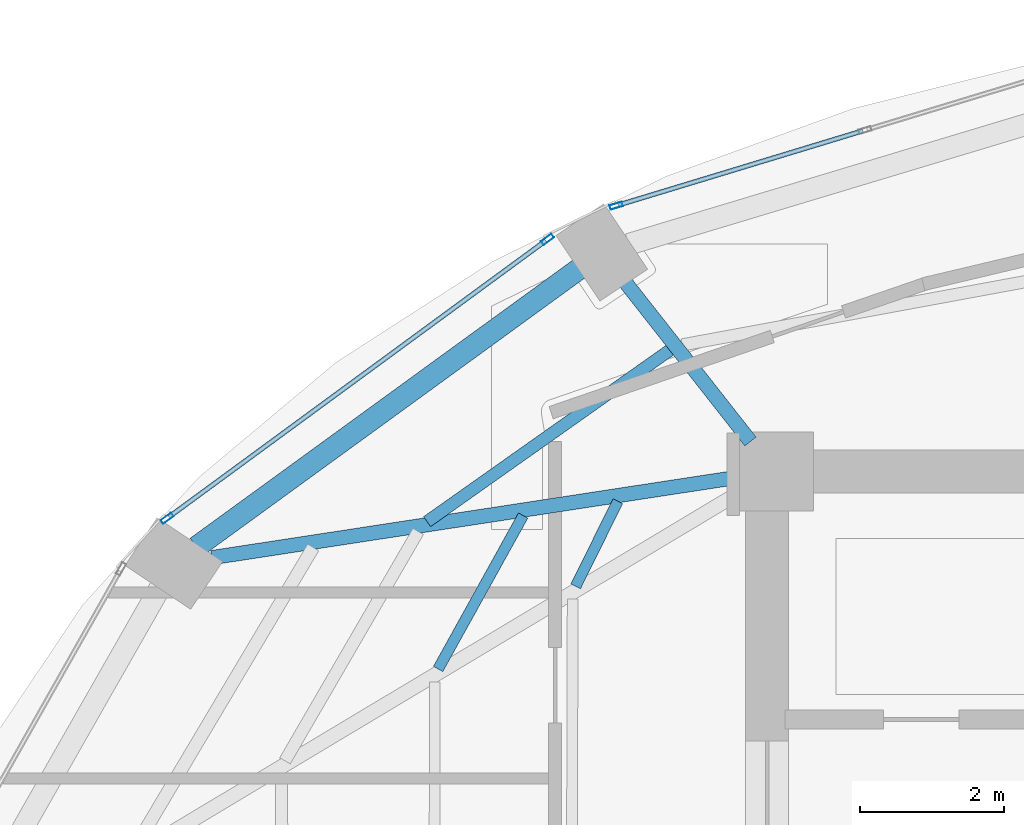
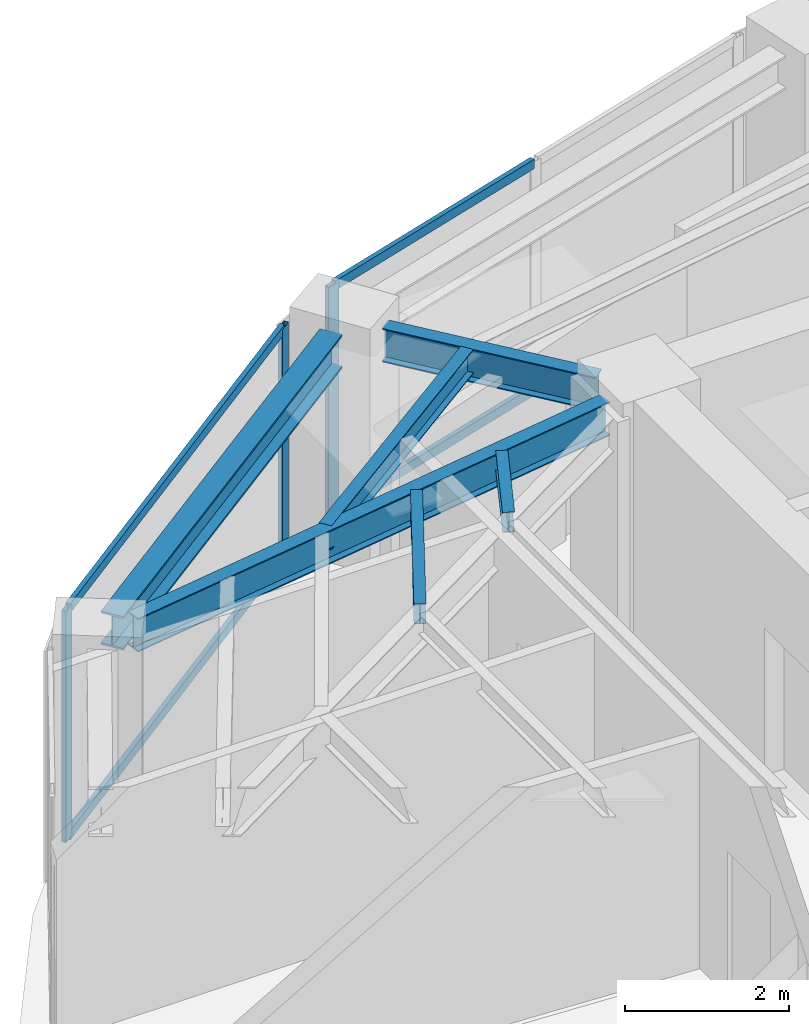
# One storey, part 10 of 23: 7 members, 6 beams, 2 elements without a shape of their own.
"""IFC4 building model written with IfcOpenShell, lengths in metres."""

from ifc_helpers import new_model, si_unit, direction, frame, origin, origin_2d, place, context, subcontext, project, spatial, hollow_rectangle, i_section, extrude, material, layer, layer_set, material_profile, profile_set, type_object, element, aggregate, save


model = new_model("IFC4")

# Units and contexts
model_context = context("Model", 3, precision=1e-05, world=origin(), true_north=direction((0.0, 1.0)))
body_context = subcontext(model_context, "Body", "Model", "MODEL_VIEW")
ifc_project = project(units=[si_unit("LENGTHUNIT", "METRE"), si_unit("AREAUNIT", "SQUARE_METRE"), si_unit("VOLUMEUNIT", "CUBIC_METRE"), si_unit("PLANEANGLEUNIT", "RADIAN"), si_unit("MASSUNIT", "GRAM", prefix="KILO")], contexts=[model_context])

# Site, building, storey
site_placement = place(None, origin())
site = spatial("IfcSite", under=ifc_project, at=site_placement, CompositionType="ELEMENT")
building_placement = place(site_placement, origin())
building = spatial("IfcBuilding", under=site, at=building_placement, Name="Lazwardi Medical Tower", CompositionType="ELEMENT")
storey_placement = place(building_placement, frame((0.0, 0.0, 213.072021484375)))
storey = spatial("IfcBuildingStorey", under=building, at=storey_placement, Name="L55", CompositionType="ELEMENT", Elevation=213.072021484375)

# Beams
ifc_material_1 = material(Name="Steel S355", Category="steel")
ifc_material_profile_1 = material_profile(ifc_material_1, i_section(OverallWidth=0.300048828125, OverallDepth=0.5, WebThickness=0.014404296875, FlangeThickness=0.028076171875, at=origin_2d()), Name="HEB 500")
ifc_profile_set_1 = profile_set([ifc_material_profile_1], Name="Steel S355")
beam_type_1 = type_object("IfcBeamType", Name="BM-RB-Z4", PredefinedType="BEAM", material=ifc_profile_set_1)
beam_1_placement = place(storey_placement, frame((23.68408203125, 38.4248046875, 3.197998046875), z_axis=(-0.808889916254, -0.587960120571, 0.0), x_axis=(0.587960120571, -0.808889916254, 0.0)))
element("IfcBeam", 1, at=beam_1_placement, inside=storey, type_object=beam_type_1, Name="Ring beam RB-05 B10 L55", PredefinedType="BEAM", context=body_context, shape_type="SweptSolid", body=[
    extrude(i_section(OverallWidth=0.300048828125, OverallDepth=0.5, WebThickness=0.014404296875, FlangeThickness=0.028076171875, at=origin_2d()), origin(), (0.0, 0.0, 1.0), 6.587158203125),
])
ifc_material_profile_2 = material_profile(ifc_material_1, i_section(OverallWidth=0.199951171875, OverallDepth=0.5, WebThickness=0.01025390625, FlangeThickness=0.01611328125, at=origin_2d()), Name="IPE 500")
ifc_profile_set_2 = profile_set([ifc_material_profile_2], Name="Steel S355")
beam_type_2 = type_object("IfcBeamType", Name="BM-RG-W3", PredefinedType="BEAM", material=ifc_profile_set_2)
beam_2_placement = place(storey_placement, frame((24.330322265625, 38.2333984375, 3.197998046875), z_axis=(0.617890508382, -0.786264153864, 0.0), x_axis=(0.786264153864, 0.617890508382, 0.0)))
element("IfcBeam", 2, at=beam_2_placement, inside=storey, type_object=beam_type_2, Name="Radial girder RG-04 R10 L55", PredefinedType="BEAM", context=body_context, shape_type="SweptSolid", body=[
    extrude(i_section(OverallWidth=0.199951171875, OverallDepth=0.5, WebThickness=0.01025390625, FlangeThickness=0.01611328125, at=origin_2d()), origin(), (0.0, 0.0, 1.0), 2.814453125),
])
beam_3_placement = place(storey_placement, frame((18.569091796875, 34.4033203125, 3.197998046875), z_axis=(0.988522137285, 0.151076087115, 0.0), x_axis=(-0.151076087115, 0.988522137285, 0.0)))
element("IfcBeam", 3, at=beam_3_placement, inside=storey, type_object=beam_type_2, Name="Radial girder RG-04 R11 L55", PredefinedType="BEAM", context=body_context, shape_type="SweptSolid", body=[
    extrude(i_section(OverallWidth=0.199951171875, OverallDepth=0.5, WebThickness=0.01025390625, FlangeThickness=0.01611328125, at=origin_2d()), origin(), (0.0, 0.0, 1.0), 7.38671875),
])
ifc_material_profile_3 = material_profile(ifc_material_1, i_section(OverallWidth=0.169921875, OverallDepth=0.360107421875, WebThickness=0.008056640625, FlangeThickness=0.0126953125, at=origin_2d()), Name="IPE 360")
ifc_profile_set_3 = profile_set([ifc_material_profile_3], Name="Steel S355")
beam_type_3 = type_object("IfcBeamType", Name="BM-SJ-02", PredefinedType="JOIST", material=ifc_profile_set_3)
beam_4_placement = place(storey_placement, frame((24.948486328125, 37.29345703125, 3.26806640625), z_axis=(-0.816711190406, -0.577046645832, 0.0), x_axis=(0.577046645832, -0.816711190406, 0.0)))
element("IfcBeam", 4, at=beam_4_placement, inside=storey, type_object=beam_type_3, Name="Secondary joist SJ-02 R2 B10 L55", PredefinedType="JOIST", context=body_context, shape_type="SweptSolid", body=[
    extrude(i_section(OverallWidth=0.169921875, OverallDepth=0.360107421875, WebThickness=0.008056640625, FlangeThickness=0.0126953125, at=origin_2d()), origin(), (0.0, 0.0, 1.0), 4.139892578125),
])
ifc_material_profile_4 = material_profile(ifc_material_1, i_section(OverallWidth=0.14990234375, OverallDepth=0.300048828125, WebThickness=0.007080078125, FlangeThickness=0.0107421875, at=origin_2d()), Name="IPE 300")
ifc_profile_set_4 = profile_set([ifc_material_profile_4], Name="Steel S355")
beam_type_4 = type_object("IfcBeamType", Name="BM-SJ-03", PredefinedType="JOIST", material=ifc_profile_set_4)
beam_5_placement = place(storey_placement, frame((22.904296875, 34.98974609375, 3.298095703125), z_axis=(-0.484751625998, -0.874651851363, 0.0), x_axis=(0.874651851363, -0.484751625998, 0.0)))
element("IfcBeam", 5, at=beam_5_placement, inside=storey, type_object=beam_type_4, Name="Secondary joist SJ-03 R3 B11 L55", PredefinedType="JOIST", context=body_context, shape_type="SweptSolid", body=[
    extrude(i_section(OverallWidth=0.14990234375, OverallDepth=0.300048828125, WebThickness=0.007080078125, FlangeThickness=0.0107421875, at=origin_2d()), origin(), (0.0, 0.0, 1.0), 2.442626953125),
])
beam_6_placement = place(storey_placement, frame((24.222412109375, 35.188720703125, 3.298095703125), z_axis=(-0.443587297772, -0.89623116954, 0.0), x_axis=(0.89623116954, -0.443587297772, 0.0)))
element("IfcBeam", 6, at=beam_6_placement, inside=storey, type_object=beam_type_4, Name="Secondary joist SJ-03 R4 B11 L55", PredefinedType="JOIST", context=body_context, shape_type="SweptSolid", body=[
    extrude(i_section(OverallWidth=0.14990234375, OverallDepth=0.300048828125, WebThickness=0.007080078125, FlangeThickness=0.0107421875, at=origin_2d()), origin(), (0.0, 0.0, 1.0), 1.32080078125),
])

# Curtain wall, member
ifc_material_2 = material(Name="Anodised bronze aluminium and solar control glazing", Category="aluminium")
ifc_layer = layer(ifc_material_2, 0.18994140625)
ifc_layer_set = layer_set([ifc_layer], Name="Anodised bronze aluminium and solar control glazing")
curtain_wall_type = type_object("IfcCurtainWallType", Name="CW-SYS-04", PredefinedType="NOTDEFINED", material=ifc_layer_set)
curtain_wall_1_placement = place(storey_placement, origin())
curtain_wall_1 = element("IfcCurtainWall", 7, at=curtain_wall_1_placement, inside=storey, type_object=curtain_wall_type, Name="L55 Unitised bronze curtain wall CW-04", PredefinedType="NOTDEFINED")
ifc_material_3 = material(Name="Anodised bronze aluminium", Category="aluminium")
ifc_material_profile_5 = material_profile(ifc_material_3, hollow_rectangle(XDim=0.06494140625, YDim=0.179931640625, WallThickness=0.00390625, at=origin_2d()), Name="ALU-MULLION 180x65x4")
ifc_profile_set_5 = profile_set([ifc_material_profile_5], Name="Anodised bronze aluminium")
member_type_1 = type_object("IfcMemberType", Name="CW-MUL-03", PredefinedType="MULLION", material=ifc_profile_set_5)
member_1_placement = place(storey_placement, frame((24.2001953125, 39.303466796875, 0.0), z_axis=(0.0, 0.0, 1.0), x_axis=(0.290581889515, -0.956850126972, 0.0)))
member_1 = element("IfcMember", 8, at=member_1_placement, type_object=member_type_1, Name="CW-04 mullion 3", PredefinedType="MULLION", context=body_context, shape_type="SweptSolid", body=[
    extrude(hollow_rectangle(XDim=0.06494140625, YDim=0.179931640625, WallThickness=0.00390625, at=origin_2d()), origin(), (0.0, 0.0, 1.0), 3.447998046875),
])

# Curtain wall, members
curtain_wall_2_placement = place(storey_placement, origin())
curtain_wall_2 = element("IfcCurtainWall", 9, at=curtain_wall_2_placement, inside=storey, type_object=curtain_wall_type, Name="L55 Unitised bronze curtain wall CW-04", PredefinedType="NOTDEFINED")
member_2_placement = place(storey_placement, frame((23.24462890625, 38.8349609375, 0.0), z_axis=(0.0, 0.0, 1.0), x_axis=(0.591268230971, -0.806474971121, 0.0)))
member_2 = element("IfcMember", 10, at=member_2_placement, type_object=member_type_1, Name="CW-04 mullion 1", PredefinedType="MULLION", context=body_context, shape_type="SweptSolid", body=[
    extrude(hollow_rectangle(XDim=0.06494140625, YDim=0.179931640625, WallThickness=0.00390625, at=origin_2d()), origin(), (0.0, 0.0, 1.0), 3.447998046875),
])
member_3_placement = place(storey_placement, frame((17.947998046875, 34.95166015625, 0.0), z_axis=(0.0, 0.0, 1.0), x_axis=(0.591268230971, -0.806474971121, 0.0)))
member_3 = element("IfcMember", 11, at=member_3_placement, type_object=member_type_1, Name="CW-04 mullion 2", PredefinedType="MULLION", context=body_context, shape_type="SweptSolid", body=[
    extrude(hollow_rectangle(XDim=0.06494140625, YDim=0.179931640625, WallThickness=0.00390625, at=origin_2d()), origin(), (0.0, 0.0, 1.0), 3.447998046875),
])

# Member
ifc_material_profile_6 = material_profile(ifc_material_3, hollow_rectangle(XDim=0.06494140625, YDim=0.139892578125, WallThickness=0.00341796875, at=origin_2d()), Name="ALU-TRANSOM 140x65x3.5")
ifc_profile_set_6 = profile_set([ifc_material_profile_6], Name="Anodised bronze aluminium")
member_type_2 = type_object("IfcMemberType", Name="CW-TRN-03", PredefinedType="USERDEFINED", material=ifc_profile_set_6)
member_4_placement = place(storey_placement, frame((27.632568359375, 40.345947265625, 0.032470703125), z_axis=(-0.956843409009, -0.290604010015, 0.0), x_axis=(0.290604010015, -0.956843409009, 0.0)))
member_4 = element("IfcMember", 12, at=member_4_placement, type_object=member_type_2, Name="CW-04 transom 2.1", ObjectType="TRANSOM", PredefinedType="USERDEFINED", context=body_context, shape_type="SweptSolid", body=[
    extrude(hollow_rectangle(XDim=0.06494140625, YDim=0.139892578125, WallThickness=0.00341796875, at=origin_2d()), origin(), (0.0, 0.0, 1.0), 3.554443359375),
])

member_5_placement = place(storey_placement, frame((27.632568359375, 40.345947265625, 3.41552734375), z_axis=(-0.956843409009, -0.290604010015, 0.0), x_axis=(0.290604010015, -0.956843409009, 0.0)))
member_5 = element("IfcMember", 13, at=member_5_placement, type_object=member_type_2, Name="CW-04 transom 2.2", ObjectType="TRANSOM", PredefinedType="USERDEFINED", context=body_context, shape_type="SweptSolid", body=[
    extrude(hollow_rectangle(XDim=0.06494140625, YDim=0.139892578125, WallThickness=0.00341796875, at=origin_2d()), origin(), (0.0, 0.0, 1.0), 3.554443359375),
])

aggregate(curtain_wall_1, [member_1, member_4, member_5])

member_6_placement = place(storey_placement, frame((23.218505859375, 38.815673828125, 0.032470703125), z_axis=(-0.80648973359, -0.591248094808, 0.0), x_axis=(0.591248094808, -0.80648973359, 0.0)))
member_6 = element("IfcMember", 14, at=member_6_placement, type_object=member_type_2, Name="CW-04 transom 1.1", ObjectType="TRANSOM", PredefinedType="USERDEFINED", context=body_context, shape_type="SweptSolid", body=[
    extrude(hollow_rectangle(XDim=0.06494140625, YDim=0.139892578125, WallThickness=0.00341796875, at=origin_2d()), origin(), (0.0, 0.0, 1.0), 6.502685546875),
])

member_7_placement = place(storey_placement, frame((23.218505859375, 38.815673828125, 3.41552734375), z_axis=(-0.80648973359, -0.591248094808, 0.0), x_axis=(0.591248094808, -0.80648973359, 0.0)))
member_7 = element("IfcMember", 15, at=member_7_placement, type_object=member_type_2, Name="CW-04 transom 1.2", ObjectType="TRANSOM", PredefinedType="USERDEFINED", context=body_context, shape_type="SweptSolid", body=[
    extrude(hollow_rectangle(XDim=0.06494140625, YDim=0.139892578125, WallThickness=0.00341796875, at=origin_2d()), origin(), (0.0, 0.0, 1.0), 6.502685546875),
])

aggregate(curtain_wall_2, [member_2, member_3, member_6, member_7])

save(model, "model.ifc")
